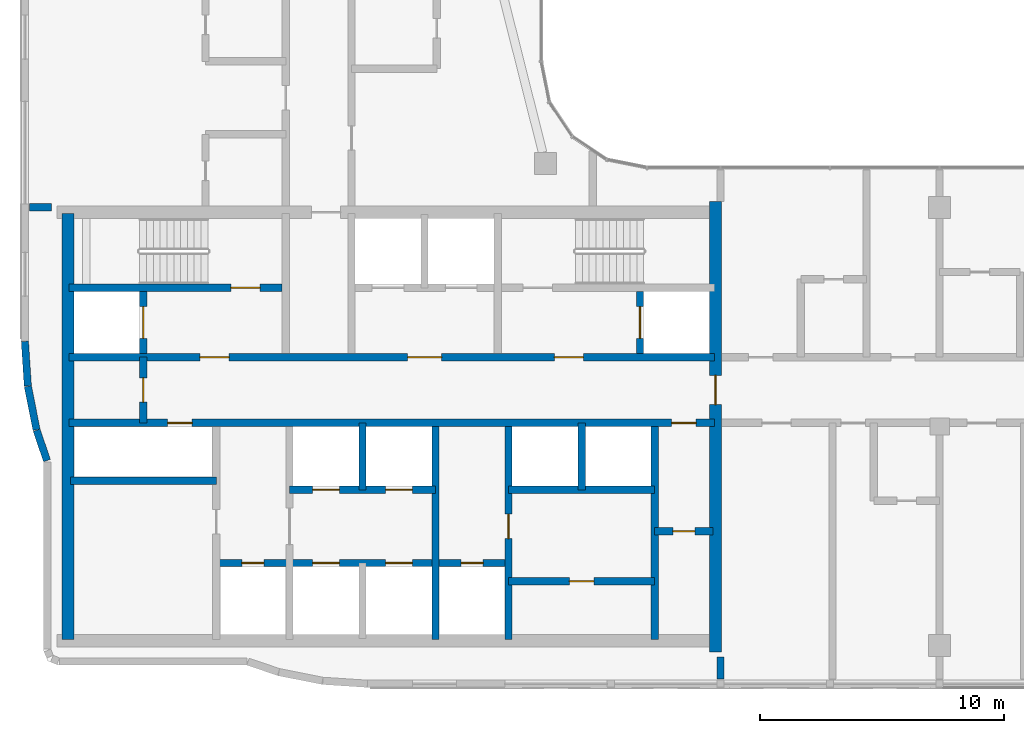
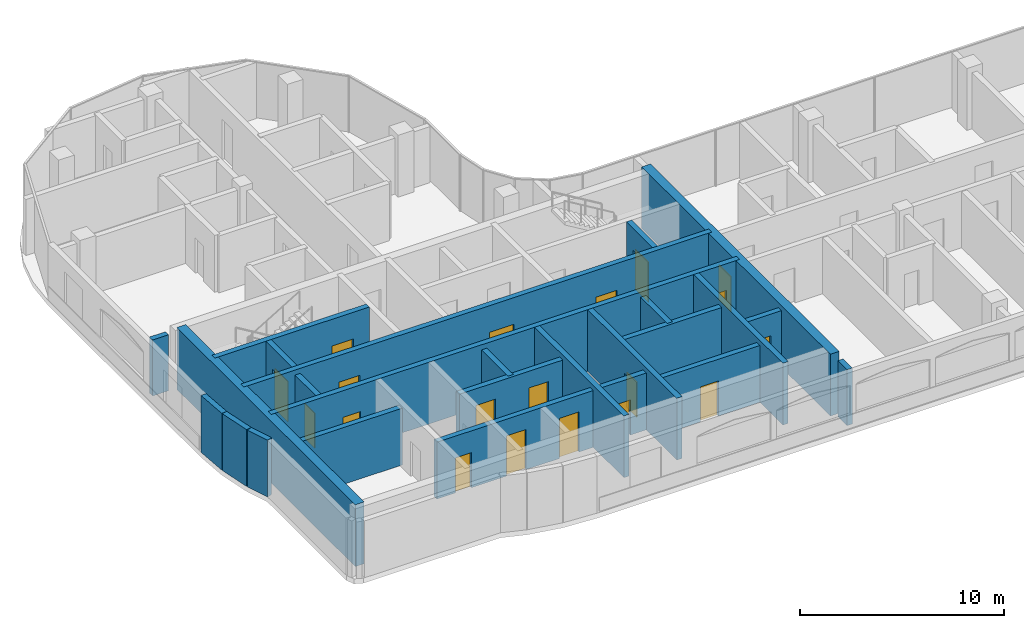
# One storey, part 9 of 19: 24 walls, 19 doors, 19 openings.
"""IFC4 building model written with IfcOpenShell, lengths in metres."""

from ifc_helpers import new_model, si_unit, direction, frame, frame_2d, origin, place, context, subcontext, project, spatial, rectangle, extrude, material, layer, layer_set, type_object, element, fill, save


model = new_model("IFC4")

# Units and contexts
model_context = context("Model", 3, precision=1e-05, world=origin(), true_north=direction((0.0, 1.0)))
body_context = subcontext(model_context, "Body", "Model", "MODEL_VIEW")
ifc_project = project(units=[si_unit("LENGTHUNIT", "METRE"), si_unit("AREAUNIT", "SQUARE_METRE"), si_unit("VOLUMEUNIT", "CUBIC_METRE"), si_unit("PLANEANGLEUNIT", "RADIAN"), si_unit("MASSUNIT", "GRAM", prefix="KILO")], contexts=[model_context])

# Site, building, storey
site_placement = place(None, origin())
site = spatial("IfcSite", under=ifc_project, at=site_placement, CompositionType="ELEMENT")
building_placement = place(site_placement, origin())
building = spatial("IfcBuilding", under=site, at=building_placement, Name="Ogive Portal Towers", CompositionType="ELEMENT")
storey_placement = place(building_placement, frame((0.0, 0.0, 203.199951171875)))
storey = spatial("IfcBuildingStorey", under=building, at=storey_placement, Name="L50", CompositionType="ELEMENT", Elevation=203.199951171875)

# Wall
ifc_material_1 = material(Name="Concrete C60/75", Category="concrete")
ifc_layer_1 = layer(ifc_material_1, 0.300048828125)
ifc_layer_set_1 = layer_set([ifc_layer_1], Name="CORE WALL 300 C60")
wall_type_1 = type_object("IfcWallType", Name="CORE WALL 300 C60", PredefinedType="SHEAR", material=ifc_layer_set_1)
wall_1_placement = place(storey_placement, frame((46.800048828125, 21.75, 0.0), z_axis=(0.0, 0.0, 1.0), x_axis=(0.0, 1.0, 0.0)))
element("IfcWall", 1, at=wall_1_placement, inside=storey, type_object=wall_type_1, Name="Core wall X3 L50", PredefinedType="SHEAR", context=body_context, shape_type="SweptSolid", body=[
    extrude(rectangle(XDim=8.75, YDim=0.300048828125, at=frame_2d((4.375, 0.0))), origin(), (0.0, 0.0, 1.0), 3.699951171875),
])

# Wall, opening, door
wall_2_placement = place(storey_placement, frame((49.800048828125, 21.75, 0.0), z_axis=(0.0, 0.0, 1.0), x_axis=(0.0, 1.0, 0.0)))
wall_2 = element("IfcWall", 2, at=wall_2_placement, inside=storey, type_object=wall_type_1, Name="Core wall X4 L50", PredefinedType="SHEAR", context=body_context, shape_type="SweptSolid", body=[
    extrude(rectangle(XDim=8.75, YDim=0.300048828125, at=frame_2d((4.375, 0.0))), origin(), (0.0, 0.0, 1.0), 3.699951171875),
])
opening_1_placement = place(wall_2_placement, frame((4.14990234375, 0.0, 0.0)))
opening_1 = element("IfcOpeningElement", 3, at=opening_1_placement, cuts=wall_2, Name="Opening D22-023", PredefinedType="OPENING", context=body_context, shape_type="SweptSolid", body=[
    extrude(rectangle(XDim=1.0, YDim=2.10009765625, at=frame_2d((0.5, 1.050048828125))), frame((0.0, 0.16015625, 0.0), z_axis=(0.0, -1.0, 0.0), x_axis=(1.0, 0.0, 0.0)), (0.0, 0.0, 1.0), 0.320068359375),
])
ifc_material_2 = material(Name="Steel fire door", Category="steel")
door_type_1 = type_object("IfcDoorType", Name="DT-SWING-1000x2100-FD90S", OperationType="SINGLE_SWING_LEFT", PredefinedType="DOOR", material=ifc_material_2)
door_1_placement = place(opening_1_placement, origin())
door_1 = element("IfcDoor", 4, at=door_1_placement, inside=storey, type_object=door_type_1, Name="Door D22-023", OperationType="SINGLE_SWING_LEFT", OverallHeight=2.10009765625, OverallWidth=1.0, PredefinedType="DOOR", context=body_context, shape_type="SweptSolid", body=[
    extrude(rectangle(XDim=1.0, YDim=2.10009765625, at=frame_2d((0.5, 1.050048828125))), frame((0.0, 0.02490234375, 0.0), z_axis=(0.0, -1.0, 0.0), x_axis=(1.0, 0.0, 0.0)), (0.0, 0.0, 1.0), 0.050048828125),
])
fill(opening_1, door_1)

# Wall
wall_3_placement = place(storey_placement, frame((55.800048828125, 21.75, 0.0), z_axis=(0.0, 0.0, 1.0), x_axis=(0.0, 1.0, 0.0)))
element("IfcWall", 5, at=wall_3_placement, inside=storey, type_object=wall_type_1, Name="Core wall X5 L50", PredefinedType="SHEAR", context=body_context, shape_type="SweptSolid", body=[
    extrude(rectangle(XDim=8.75, YDim=0.300048828125, at=frame_2d((4.375, 0.0))), origin(), (0.0, 0.0, 1.0), 3.699951171875),
])

# Wall, openings, doors
wall_4_placement = place(storey_placement, frame((31.75, 30.64990234375, 0.0), z_axis=(0.0, 0.0, 1.0), x_axis=(1.0, 0.0, 0.0)))
wall_4 = element("IfcWall", 6, at=wall_4_placement, inside=storey, type_object=wall_type_1, Name="Core wall Y1 L50", PredefinedType="SHEAR", context=body_context, shape_type="SweptSolid", body=[
    extrude(rectangle(XDim=26.5, YDim=0.300048828125, at=frame_2d((13.25, 0.0))), origin(), (0.0, 0.0, 1.0), 3.699951171875),
])
opening_2_placement = place(wall_4_placement, frame((24.75, 0.0, 0.0)))
opening_2 = element("IfcOpeningElement", 7, at=opening_2_placement, cuts=wall_4, Name="Opening D22-009", PredefinedType="OPENING", context=body_context, shape_type="SweptSolid", body=[
    extrude(rectangle(XDim=1.0, YDim=2.10009765625, at=frame_2d((0.5, 1.050048828125))), frame((0.0, 0.16015625, 0.0), z_axis=(0.0, -1.0, 0.0), x_axis=(1.0, 0.0, 0.0)), (0.0, 0.0, 1.0), 0.320068359375),
])
opening_3_placement = place(wall_4_placement, frame((4.050048828125, 0.0, 0.0)))
opening_3 = element("IfcOpeningElement", 8, at=opening_3_placement, cuts=wall_4, Name="Opening D22-021", PredefinedType="OPENING", context=body_context, shape_type="SweptSolid", body=[
    extrude(rectangle(XDim=1.0, YDim=2.10009765625, at=frame_2d((0.5, 1.050048828125))), frame((0.0, 0.16015625, 0.0), z_axis=(0.0, -1.0, 0.0), x_axis=(1.0, 0.0, 0.0)), (0.0, 0.0, 1.0), 0.320068359375),
])
door_2_placement = place(opening_2_placement, origin())
door_2 = element("IfcDoor", 9, at=door_2_placement, inside=storey, type_object=door_type_1, Name="Door D22-009", OperationType="SINGLE_SWING_LEFT", OverallHeight=2.10009765625, OverallWidth=1.0, PredefinedType="DOOR", context=body_context, shape_type="SweptSolid", body=[
    extrude(rectangle(XDim=1.0, YDim=2.10009765625, at=frame_2d((0.5, 1.050048828125))), frame((0.0, 0.02490234375, 0.0), z_axis=(0.0, -1.0, 0.0), x_axis=(1.0, 0.0, 0.0)), (0.0, 0.0, 1.0), 0.050048828125),
])
fill(opening_2, door_2)
door_3_placement = place(opening_3_placement, origin())
door_3 = element("IfcDoor", 10, at=door_3_placement, inside=storey, type_object=door_type_1, Name="Riser access door D22-021", OperationType="SINGLE_SWING_LEFT", OverallHeight=2.10009765625, OverallWidth=1.0, PredefinedType="DOOR", context=body_context, shape_type="SweptSolid", body=[
    extrude(rectangle(XDim=1.0, YDim=2.10009765625, at=frame_2d((0.5, 1.050048828125))), frame((0.0, 0.02490234375, 0.0), z_axis=(0.0, -1.0, 0.0), x_axis=(1.0, 0.0, 0.0)), (0.0, 0.0, 1.0), 0.050048828125),
])
fill(opening_3, door_3)

wall_5_placement = place(storey_placement, frame((31.75, 33.35009765625, 0.0), z_axis=(0.0, 0.0, 1.0), x_axis=(1.0, 0.0, 0.0)))
wall_5 = element("IfcWall", 11, at=wall_5_placement, inside=storey, type_object=wall_type_1, Name="Core wall Y2 L50", PredefinedType="SHEAR", context=body_context, shape_type="SweptSolid", body=[
    extrude(rectangle(XDim=26.5, YDim=0.300048828125, at=frame_2d((13.25, 0.0))), origin(), (0.0, 0.0, 1.0), 3.699951171875),
])
opening_4_placement = place(wall_5_placement, frame((13.89990234375, 0.0, 0.0)))
opening_4 = element("IfcOpeningElement", 12, at=opening_4_placement, cuts=wall_5, Name="Opening D22-002", PredefinedType="OPENING", context=body_context, shape_type="SweptSolid", body=[
    extrude(rectangle(XDim=1.39990234375, YDim=2.10009765625, at=frame_2d((0.699951171875, 1.050048828125))), frame((0.0, 0.16015625, 0.0), z_axis=(0.0, -1.0, 0.0), x_axis=(1.0, 0.0, 0.0)), (0.0, 0.0, 1.0), 0.320068359375),
])
opening_5_placement = place(wall_5_placement, frame((5.375, 0.0, 0.0)))
opening_5 = element("IfcOpeningElement", 13, at=opening_5_placement, cuts=wall_5, Name="Opening D22-003", PredefinedType="OPENING", context=body_context, shape_type="SweptSolid", body=[
    extrude(rectangle(XDim=1.199951171875, YDim=2.10009765625, at=frame_2d((0.60009765625, 1.050048828125))), frame((0.0, 0.16015625, 0.0), z_axis=(0.0, -1.0, 0.0), x_axis=(1.0, 0.0, 0.0)), (0.0, 0.0, 1.0), 0.320068359375),
])
opening_6_placement = place(wall_5_placement, frame((19.925048828125, 0.0, 0.0)))
opening_6 = element("IfcOpeningElement", 14, at=opening_6_placement, cuts=wall_5, Name="Opening D22-004", PredefinedType="OPENING", context=body_context, shape_type="SweptSolid", body=[
    extrude(rectangle(XDim=1.199951171875, YDim=2.10009765625, at=frame_2d((0.60009765625, 1.050048828125))), frame((0.0, 0.16015625, 0.0), z_axis=(0.0, -1.0, 0.0), x_axis=(1.0, 0.0, 0.0)), (0.0, 0.0, 1.0), 0.320068359375),
])
door_type_2 = type_object("IfcDoorType", Name="DT-SWING-1200x2100-FD90S", OperationType="SINGLE_SWING_LEFT", PredefinedType="DOOR", material=ifc_material_2)
door_4_placement = place(opening_5_placement, origin())
door_4 = element("IfcDoor", 15, at=door_4_placement, inside=storey, type_object=door_type_2, Name="Door D22-003", OperationType="SINGLE_SWING_LEFT", OverallHeight=2.10009765625, OverallWidth=1.199951171875, PredefinedType="DOOR", context=body_context, shape_type="SweptSolid", body=[
    extrude(rectangle(XDim=1.199951171875, YDim=2.10009765625, at=frame_2d((0.60009765625, 1.050048828125))), frame((0.0, 0.02490234375, 0.0), z_axis=(0.0, -1.0, 0.0), x_axis=(1.0, 0.0, 0.0)), (0.0, 0.0, 1.0), 0.050048828125),
])
fill(opening_5, door_4)
door_5_placement = place(opening_6_placement, origin())
door_5 = element("IfcDoor", 16, at=door_5_placement, inside=storey, type_object=door_type_2, Name="Door D22-004", OperationType="SINGLE_SWING_RIGHT", OverallHeight=2.10009765625, OverallWidth=1.199951171875, PredefinedType="DOOR", context=body_context, shape_type="SweptSolid", body=[
    extrude(rectangle(XDim=1.199951171875, YDim=2.10009765625, at=frame_2d((0.60009765625, 1.050048828125))), frame((0.0, 0.02490234375, 0.0), z_axis=(0.0, -1.0, 0.0), x_axis=(1.0, 0.0, 0.0)), (0.0, 0.0, 1.0), 0.050048828125),
])
fill(opening_6, door_5)
door_type_3 = type_object("IfcDoorType", Name="DT-SWING-1400x2100-FD90S", OperationType="SINGLE_SWING_LEFT", PredefinedType="DOOR", material=ifc_material_2)
door_6_placement = place(opening_4_placement, origin())
door_6 = element("IfcDoor", 17, at=door_6_placement, inside=storey, type_object=door_type_3, Name="Door D22-002", OperationType="SINGLE_SWING_RIGHT", OverallHeight=2.10009765625, OverallWidth=1.39990234375, PredefinedType="DOOR", context=body_context, shape_type="SweptSolid", body=[
    extrude(rectangle(XDim=1.39990234375, YDim=2.10009765625, at=frame_2d((0.699951171875, 1.050048828125))), frame((0.0, 0.02490234375, 0.0), z_axis=(0.0, -1.0, 0.0), x_axis=(1.0, 0.0, 0.0)), (0.0, 0.0, 1.0), 0.050048828125),
])
fill(opening_4, door_6)

# Wall, opening, door
wall_6_placement = place(storey_placement, frame((31.75, 36.199951171875, 0.0), z_axis=(0.0, 0.0, 1.0), x_axis=(1.0, 0.0, 0.0)))
wall_6 = element("IfcWall", 18, at=wall_6_placement, inside=storey, type_object=wall_type_1, Name="Core wall Y3a L50", PredefinedType="SHEAR", context=body_context, shape_type="SweptSolid", body=[
    extrude(rectangle(XDim=8.75, YDim=0.300048828125, at=frame_2d((4.375, 0.0))), origin(), (0.0, 0.0, 1.0), 3.699951171875),
])
opening_7_placement = place(wall_6_placement, frame((6.64990234375, 0.0, 0.0)))
opening_7 = element("IfcOpeningElement", 19, at=opening_7_placement, cuts=wall_6, Name="Opening D22-005", PredefinedType="OPENING", context=body_context, shape_type="SweptSolid", body=[
    extrude(rectangle(XDim=1.199951171875, YDim=2.10009765625, at=frame_2d((0.60009765625, 1.050048828125))), frame((0.0, 0.16015625, 0.0), z_axis=(0.0, -1.0, 0.0), x_axis=(1.0, 0.0, 0.0)), (0.0, 0.0, 1.0), 0.320068359375),
])
door_7_placement = place(opening_7_placement, origin())
door_7 = element("IfcDoor", 20, at=door_7_placement, inside=storey, type_object=door_type_2, Name="Door D22-005", OperationType="SINGLE_SWING_RIGHT", OverallHeight=2.10009765625, OverallWidth=1.199951171875, PredefinedType="DOOR", context=body_context, shape_type="SweptSolid", body=[
    extrude(rectangle(XDim=1.199951171875, YDim=2.10009765625, at=frame_2d((0.60009765625, 1.050048828125))), frame((0.0, 0.02490234375, 0.0), z_axis=(0.0, -1.0, 0.0), x_axis=(1.0, 0.0, 0.0)), (0.0, 0.0, 1.0), 0.050048828125),
])
fill(opening_7, door_7)

wall_7_placement = place(storey_placement, frame((34.800048828125, 33.5, 0.0), z_axis=(0.0, 0.0, 1.0), x_axis=(0.0, 1.0, 0.0)))
wall_7 = element("IfcWall", 21, at=wall_7_placement, inside=storey, type_object=wall_type_1, Name="Core wall X8 L50", PredefinedType="SHEAR", context=body_context, shape_type="SweptSolid", body=[
    extrude(rectangle(XDim=2.550048828125, YDim=0.300048828125, at=frame_2d((1.27490234375, 0.0))), origin(), (0.0, 0.0, 1.0), 3.699951171875),
])
opening_8_placement = place(wall_7_placement, frame((0.625, 0.0, 0.0)))
opening_8 = element("IfcOpeningElement", 22, at=opening_8_placement, cuts=wall_7, Name="Opening D22-019", PredefinedType="OPENING", context=body_context, shape_type="SweptSolid", body=[
    extrude(rectangle(XDim=1.300048828125, YDim=2.39990234375, at=frame_2d((0.64990234375, 1.199951171875))), frame((0.0, 0.16015625, 0.0), z_axis=(0.0, -1.0, 0.0), x_axis=(1.0, 0.0, 0.0)), (0.0, 0.0, 1.0), 0.320068359375),
])
ifc_material_3 = material(Name="Stainless steel", Category="steel")
door_type_4 = type_object("IfcDoorType", Name="DT-LD-1300x2400", OperationType="SLIDING_TO_LEFT", PredefinedType="DOOR", material=ifc_material_3)
door_8_placement = place(opening_8_placement, origin())
door_8 = element("IfcDoor", 23, at=door_8_placement, inside=storey, type_object=door_type_4, Name="Door D22-019", OperationType="SLIDING_TO_LEFT", OverallHeight=2.39990234375, OverallWidth=1.300048828125, PredefinedType="DOOR", context=body_context, shape_type="SweptSolid", body=[
    extrude(rectangle(XDim=1.300048828125, YDim=2.39990234375, at=frame_2d((0.64990234375, 1.199951171875))), frame((0.0, 0.02490234375, 0.0), z_axis=(0.0, -1.0, 0.0), x_axis=(1.0, 0.0, 0.0)), (0.0, 0.0, 1.0), 0.050048828125),
])
fill(opening_8, door_8)

wall_8_placement = place(storey_placement, frame((55.199951171875, 33.5, 0.0), z_axis=(0.0, 0.0, 1.0), x_axis=(0.0, 1.0, 0.0)))
wall_8 = element("IfcWall", 24, at=wall_8_placement, inside=storey, type_object=wall_type_1, Name="Core wall X10 L50", PredefinedType="SHEAR", context=body_context, shape_type="SweptSolid", body=[
    extrude(rectangle(XDim=2.550048828125, YDim=0.300048828125, at=frame_2d((1.27490234375, 0.0))), origin(), (0.0, 0.0, 1.0), 3.699951171875),
])
opening_9_placement = place(wall_8_placement, frame((0.625, 0.0, 0.0)))
opening_9 = element("IfcOpeningElement", 25, at=opening_9_placement, cuts=wall_8, Name="Opening D22-020", PredefinedType="OPENING", context=body_context, shape_type="SweptSolid", body=[
    extrude(rectangle(XDim=1.300048828125, YDim=2.39990234375, at=frame_2d((0.64990234375, 1.199951171875))), frame((0.0, 0.16015625, 0.0), z_axis=(0.0, -1.0, 0.0), x_axis=(1.0, 0.0, 0.0)), (0.0, 0.0, 1.0), 0.320068359375),
])
door_9_placement = place(opening_9_placement, origin())
door_9 = element("IfcDoor", 26, at=door_9_placement, inside=storey, type_object=door_type_4, Name="Door D22-020", OperationType="SLIDING_TO_LEFT", OverallHeight=2.39990234375, OverallWidth=1.300048828125, PredefinedType="DOOR", context=body_context, shape_type="SweptSolid", body=[
    extrude(rectangle(XDim=1.300048828125, YDim=2.39990234375, at=frame_2d((0.64990234375, 1.199951171875))), frame((0.0, 0.02490234375, 0.0), z_axis=(0.0, -1.0, 0.0), x_axis=(1.0, 0.0, 0.0)), (0.0, 0.0, 1.0), 0.050048828125),
])
fill(opening_9, door_9)

# Wall
ifc_layer_2 = layer(ifc_material_1, 0.5)
ifc_layer_set_2 = layer_set([ifc_layer_2], Name="CORE WALL 500 C60")
wall_type_2 = type_object("IfcWallType", Name="CORE WALL 500 C60", PredefinedType="SHEAR", material=ifc_layer_set_2)
wall_9_placement = place(storey_placement, frame((31.699951171875, 21.75, 0.0), z_axis=(0.0, 0.0, 1.0), x_axis=(0.0, 1.0, 0.0)))
element("IfcWall", 27, at=wall_9_placement, inside=storey, type_object=wall_type_2, Name="Core wall W L50", PredefinedType="SHEAR", context=body_context, shape_type="SweptSolid", body=[
    extrude(rectangle(XDim=17.5, YDim=0.5, at=frame_2d((8.75, 0.0))), origin(), (0.0, 0.0, 1.0), 3.699951171875),
])

# Wall, opening, door
wall_10_placement = place(storey_placement, frame((58.300048828125, 21.25, 0.0), z_axis=(0.0, 0.0, 1.0), x_axis=(0.0, 1.0, 0.0)))
wall_10 = element("IfcWall", 28, at=wall_10_placement, inside=storey, type_object=wall_type_2, Name="Core wall E L50", PredefinedType="SHEAR", context=body_context, shape_type="SweptSolid", body=[
    extrude(rectangle(XDim=18.5, YDim=0.5, at=frame_2d((9.25, 0.0))), origin(), (0.0, 0.0, 1.0), 3.699951171875),
])
opening_10_placement = place(wall_10_placement, frame((10.14990234375, 0.0, 0.0)))
opening_10 = element("IfcOpeningElement", 29, at=opening_10_placement, cuts=wall_10, Name="Opening D22-011", PredefinedType="OPENING", context=body_context, shape_type="SweptSolid", body=[
    extrude(rectangle(XDim=1.199951171875, YDim=2.10009765625, at=frame_2d((0.60009765625, 1.050048828125))), frame((0.0, 0.260009765625, 0.0), z_axis=(0.0, -1.0, 0.0), x_axis=(1.0, 0.0, 0.0)), (0.0, 0.0, 1.0), 0.52001953125),
])
door_10_placement = place(opening_10_placement, origin())
door_10 = element("IfcDoor", 30, at=door_10_placement, inside=storey, type_object=door_type_2, Name="Door D22-011", OperationType="SINGLE_SWING_LEFT", OverallHeight=2.10009765625, OverallWidth=1.199951171875, PredefinedType="DOOR", context=body_context, shape_type="SweptSolid", body=[
    extrude(rectangle(XDim=1.199951171875, YDim=2.10009765625, at=frame_2d((0.60009765625, 1.050048828125))), frame((0.0, 0.02490234375, 0.0), z_axis=(0.0, -1.0, 0.0), x_axis=(1.0, 0.0, 0.0)), (0.0, 0.0, 1.0), 0.050048828125),
])
fill(opening_10, door_10)

# Walls
ifc_material_4 = material(Name="Limestone cladding on lightweight block wall", Category="masonry")
ifc_layer_3 = layer(ifc_material_4, 0.300048828125)
ifc_layer_set_3 = layer_set([ifc_layer_3], Name="EXTERNAL WALL 300 STONE")
wall_type_3 = type_object("IfcWallType", Name="EXTERNAL WALL 300 STONE", PredefinedType="SOLIDWALL", material=ifc_layer_set_3)
wall_11_placement = place(storey_placement, frame((29.935302734375, 34.0, 0.0), z_axis=(0.0, 0.0, 1.0), x_axis=(0.065376617685, -0.997860660543, 0.0)))
element("IfcWall", 31, at=wall_11_placement, inside=storey, type_object=wall_type_3, Name="A:L50:f26:r0:wall", PredefinedType="SOLIDWALL", context=body_context, shape_type="SweptSolid", body=[
    extrude(rectangle(XDim=1.829833984375, YDim=0.300048828125, at=frame_2d((0.9150390625, 0.0))), origin(), (0.0, 0.0, 1.0), 3.400146484375),
])
wall_12_placement = place(storey_placement, frame((30.0576171875, 32.154541015625, 0.0), z_axis=(0.0, 0.0, 1.0), x_axis=(0.195032615553, -0.980796757168, 0.0)))
element("IfcWall", 32, at=wall_12_placement, inside=storey, type_object=wall_type_3, Name="A:L50:f27:r0:wall", PredefinedType="SOLIDWALL", context=body_context, shape_type="SweptSolid", body=[
    extrude(rectangle(XDim=1.820068359375, YDim=0.300048828125, at=frame_2d((0.91015625, 0.0))), origin(), (0.0, 0.0, 1.0), 3.400146484375),
])
wall_13_placement = place(storey_placement, frame((30.417724609375, 30.3505859375, 0.0), z_axis=(0.0, 0.0, 1.0), x_axis=(0.32143850255, -0.946930456305, 0.0)))
element("IfcWall", 33, at=wall_13_placement, inside=storey, type_object=wall_type_3, Name="A:L50:f28:r0:wall", PredefinedType="SOLIDWALL", context=body_context, shape_type="SweptSolid", body=[
    extrude(rectangle(XDim=1.320068359375, YDim=0.300048828125, at=frame_2d((0.66015625, 0.0))), origin(), (0.0, 0.0, 1.0), 3.400146484375),
])

# Wall, opening, door
ifc_material_5 = material(Name="Gypsum board partition on steel studs", Category="steel")
ifc_layer_4 = layer(ifc_material_5, 0.300048828125)
ifc_layer_set_4 = layer_set([ifc_layer_4], Name="WT-PART-300")
wall_type_4 = type_object("IfcWallType", Name="WT-PART-300", PredefinedType="PARTITIONING", material=ifc_layer_set_4)
wall_14_placement = place(storey_placement, frame((49.800048828125, 24.14990234375, 0.0), z_axis=(0.0, 0.0, 1.0), x_axis=(1.0, 0.0, 0.0)))
wall_14 = element("IfcWall", 34, at=wall_14_placement, inside=storey, type_object=wall_type_4, Name="Wall pw:001:L50", PredefinedType="PARTITIONING", context=body_context, shape_type="SweptSolid", body=[
    extrude(rectangle(XDim=6.0, YDim=0.300048828125, at=frame_2d((3.0, 0.0))), origin(), (0.0, 0.0, 1.0), 3.400146484375),
])
opening_11_placement = place(wall_14_placement, frame((2.5, 0.0, 0.0)))
opening_11 = element("IfcOpeningElement", 35, at=opening_11_placement, cuts=wall_14, Name="Opening D22-024", PredefinedType="OPENING", context=body_context, shape_type="SweptSolid", body=[
    extrude(rectangle(XDim=1.0, YDim=2.10009765625, at=frame_2d((0.5, 1.050048828125))), frame((0.0, 0.16015625, 0.0), z_axis=(0.0, -1.0, 0.0), x_axis=(1.0, 0.0, 0.0)), (0.0, 0.0, 1.0), 0.320068359375),
])
door_type_5 = type_object("IfcDoorType", Name="DT-SWING-1000x2100-FD60S", OperationType="SINGLE_SWING_LEFT", PredefinedType="DOOR", material=ifc_material_2)
door_11_placement = place(opening_11_placement, origin())
door_11 = element("IfcDoor", 36, at=door_11_placement, inside=storey, type_object=door_type_5, Name="Door D22-024", OperationType="SINGLE_SWING_RIGHT", OverallHeight=2.10009765625, OverallWidth=1.0, PredefinedType="DOOR", context=body_context, shape_type="SweptSolid", body=[
    extrude(rectangle(XDim=1.0, YDim=2.10009765625, at=frame_2d((0.5, 1.050048828125))), frame((0.0, 0.02490234375, 0.0), z_axis=(0.0, -1.0, 0.0), x_axis=(1.0, 0.0, 0.0)), (0.0, 0.0, 1.0), 0.050048828125),
])
fill(opening_11, door_11)

wall_15_placement = place(storey_placement, frame((55.800048828125, 26.199951171875, 0.0), z_axis=(0.0, 0.0, 1.0), x_axis=(1.0, 0.0, 0.0)))
wall_15 = element("IfcWall", 37, at=wall_15_placement, inside=storey, type_object=wall_type_4, Name="Wall pw:003:L50", PredefinedType="PARTITIONING", context=body_context, shape_type="SweptSolid", body=[
    extrude(rectangle(XDim=2.39990234375, YDim=0.300048828125, at=frame_2d((1.199951171875, 0.0))), origin(), (0.0, 0.0, 1.0), 3.400146484375),
])
opening_12_placement = place(wall_15_placement, frame((0.75, 0.0, 0.0)))
opening_12 = element("IfcOpeningElement", 38, at=opening_12_placement, cuts=wall_15, Name="Opening D22-010", PredefinedType="OPENING", context=body_context, shape_type="SweptSolid", body=[
    extrude(rectangle(XDim=0.89990234375, YDim=2.10009765625, at=frame_2d((0.449951171875, 1.050048828125))), frame((0.0, 0.16015625, 0.0), z_axis=(0.0, -1.0, 0.0), x_axis=(1.0, 0.0, 0.0)), (0.0, 0.0, 1.0), 0.320068359375),
])
door_type_6 = type_object("IfcDoorType", Name="DT-SWING-900x2100-FD60S", OperationType="SINGLE_SWING_LEFT", PredefinedType="DOOR", material=ifc_material_2)
door_12_placement = place(opening_12_placement, origin())
door_12 = element("IfcDoor", 39, at=door_12_placement, inside=storey, type_object=door_type_6, Name="Door D22-010", OperationType="SINGLE_SWING_RIGHT", OverallHeight=2.10009765625, OverallWidth=0.89990234375, PredefinedType="DOOR", context=body_context, shape_type="SweptSolid", body=[
    extrude(rectangle(XDim=0.89990234375, YDim=2.10009765625, at=frame_2d((0.449951171875, 1.050048828125))), frame((0.0, 0.02490234375, 0.0), z_axis=(0.0, -1.0, 0.0), x_axis=(1.0, 0.0, 0.0)), (0.0, 0.0, 1.0), 0.050048828125),
])
fill(opening_12, door_12)

# Walls
wall_16_placement = place(storey_placement, frame((31.800048828125, 28.277099609375, 0.0), z_axis=(0.0, 0.0, 1.0), x_axis=(1.0, 0.0, 0.0)))
element("IfcWall", 40, at=wall_16_placement, inside=storey, type_object=wall_type_4, Name="Wall pw:006:L50", PredefinedType="PARTITIONING", context=body_context, shape_type="SweptSolid", body=[
    extrude(rectangle(XDim=6.0, YDim=0.300048828125, at=frame_2d((3.0, 0.0))), origin(), (0.0, 0.0, 1.0), 3.400146484375),
])
ifc_layer_5 = layer(ifc_material_5, 0.300048828125)
ifc_layer_set_5 = layer_set([ifc_layer_5], Name="WT-PART-300-EI 60")
wall_type_5 = type_object("IfcWallType", Name="WT-PART-300-EI 60", PredefinedType="PARTITIONING", material=ifc_layer_set_5)
for number, where, z_axis, x_axis, name in (
    (41, (30.135009765625, 39.5, 0.0), (0.0, 0.0, 1.0), (1.0, 0.0, 0.0), "Wall L50:w012"),
    (42, (58.5, 20.135009765625, 0.0), (0.0, 0.0, 1.0), (0.0, 1.0, 0.0), "Wall L50:w034"),
):
    element("IfcWall", number, at=place(storey_placement, frame(where, z_axis=z_axis, x_axis=x_axis)), inside=storey, type_object=wall_type_5, Name=name, PredefinedType="PARTITIONING", context=body_context, shape_type="SweptSolid", body=[
        extrude(rectangle(XDim=0.89501953125, YDim=0.300048828125, at=frame_2d((0.447509765625, 0.0))), origin(), (0.0, 0.0, 1.0), 3.35009765625),
    ])

# Wall, openings, doors
ifc_material_6 = material(Name="Concrete C40/50", Category="concrete")
ifc_layer_6 = layer(ifc_material_6, 0.300048828125)
ifc_layer_set_6 = layer_set([ifc_layer_6], Name="WT-SHAFT-300")
wall_type_6 = type_object("IfcWallType", Name="WT-SHAFT-300", PredefinedType="SOLIDWALL", material=ifc_layer_set_6)
wall_17_placement = place(storey_placement, frame((37.800048828125, 24.89990234375, 0.0), z_axis=(0.0, 0.0, 1.0), x_axis=(1.0, 0.0, 0.0)))
wall_17 = element("IfcWall", 43, at=wall_17_placement, inside=storey, type_object=wall_type_6, Name="Wall pw:002:L50", PredefinedType="SOLIDWALL", context=body_context, shape_type="SweptSolid", body=[
    extrude(rectangle(XDim=12.0, YDim=0.300048828125, at=frame_2d((6.0, 0.0))), origin(), (0.0, 0.0, 1.0), 3.400146484375),
])
opening_13_placement = place(wall_17_placement, frame((1.050048828125, 0.0, 0.0)))
opening_13 = element("IfcOpeningElement", 44, at=opening_13_placement, cuts=wall_17, Name="Opening D22-007", PredefinedType="OPENING", context=body_context, shape_type="SweptSolid", body=[
    extrude(rectangle(XDim=0.89990234375, YDim=2.10009765625, at=frame_2d((0.449951171875, 1.050048828125))), frame((0.0, 0.16015625, 0.0), z_axis=(0.0, -1.0, 0.0), x_axis=(1.0, 0.0, 0.0)), (0.0, 0.0, 1.0), 0.320068359375),
])
opening_14_placement = place(wall_17_placement, frame((10.050048828125, 0.0, 0.0)))
opening_14 = element("IfcOpeningElement", 45, at=opening_14_placement, cuts=wall_17, Name="Opening D22-008", PredefinedType="OPENING", context=body_context, shape_type="SweptSolid", body=[
    extrude(rectangle(XDim=0.89990234375, YDim=2.10009765625, at=frame_2d((0.449951171875, 1.050048828125))), frame((0.0, 0.16015625, 0.0), z_axis=(0.0, -1.0, 0.0), x_axis=(1.0, 0.0, 0.0)), (0.0, 0.0, 1.0), 0.320068359375),
])
opening_15_placement = place(wall_17_placement, frame((3.949951171875, 0.0, 0.0)))
opening_15 = element("IfcOpeningElement", 46, at=opening_15_placement, cuts=wall_17, Name="Opening D22-013", PredefinedType="OPENING", context=body_context, shape_type="SweptSolid", body=[
    extrude(rectangle(XDim=1.10009765625, YDim=2.39990234375, at=frame_2d((0.550048828125, 1.199951171875))), frame((0.0, 0.16015625, 0.0), z_axis=(0.0, -1.0, 0.0), x_axis=(1.0, 0.0, 0.0)), (0.0, 0.0, 1.0), 0.320068359375),
])
opening_16_placement = place(wall_17_placement, frame((6.949951171875, 0.0, 0.0)))
opening_16 = element("IfcOpeningElement", 47, at=opening_16_placement, cuts=wall_17, Name="Opening D22-014", PredefinedType="OPENING", context=body_context, shape_type="SweptSolid", body=[
    extrude(rectangle(XDim=1.10009765625, YDim=2.39990234375, at=frame_2d((0.550048828125, 1.199951171875))), frame((0.0, 0.16015625, 0.0), z_axis=(0.0, -1.0, 0.0), x_axis=(1.0, 0.0, 0.0)), (0.0, 0.0, 1.0), 0.320068359375),
])
door_type_7 = type_object("IfcDoorType", Name="DT-LD-1100x2400", OperationType="SLIDING_TO_LEFT", PredefinedType="DOOR", material=ifc_material_3)
door_13_placement = place(opening_15_placement, origin())
door_13 = element("IfcDoor", 48, at=door_13_placement, inside=storey, type_object=door_type_7, Name="Door D22-013", OperationType="SLIDING_TO_LEFT", OverallHeight=2.39990234375, OverallWidth=1.10009765625, PredefinedType="DOOR", context=body_context, shape_type="SweptSolid", body=[
    extrude(rectangle(XDim=1.10009765625, YDim=2.39990234375, at=frame_2d((0.550048828125, 1.199951171875))), frame((0.0, 0.02490234375, 0.0), z_axis=(0.0, -1.0, 0.0), x_axis=(1.0, 0.0, 0.0)), (0.0, 0.0, 1.0), 0.050048828125),
])
fill(opening_15, door_13)
door_14_placement = place(opening_16_placement, origin())
door_14 = element("IfcDoor", 49, at=door_14_placement, inside=storey, type_object=door_type_7, Name="Door D22-014", OperationType="SLIDING_TO_LEFT", OverallHeight=2.39990234375, OverallWidth=1.10009765625, PredefinedType="DOOR", context=body_context, shape_type="SweptSolid", body=[
    extrude(rectangle(XDim=1.10009765625, YDim=2.39990234375, at=frame_2d((0.550048828125, 1.199951171875))), frame((0.0, 0.02490234375, 0.0), z_axis=(0.0, -1.0, 0.0), x_axis=(1.0, 0.0, 0.0)), (0.0, 0.0, 1.0), 0.050048828125),
])
fill(opening_16, door_14)
door_type_8 = type_object("IfcDoorType", Name="DT-SWING-900x2100-FD90S", OperationType="SINGLE_SWING_LEFT", PredefinedType="DOOR", material=ifc_material_2)
door_15_placement = place(opening_13_placement, origin())
door_15 = element("IfcDoor", 50, at=door_15_placement, inside=storey, type_object=door_type_8, Name="Riser access door D22-007", OperationType="SINGLE_SWING_LEFT", OverallHeight=2.10009765625, OverallWidth=0.89990234375, PredefinedType="DOOR", context=body_context, shape_type="SweptSolid", body=[
    extrude(rectangle(XDim=0.89990234375, YDim=2.10009765625, at=frame_2d((0.449951171875, 1.050048828125))), frame((0.0, 0.02490234375, 0.0), z_axis=(0.0, -1.0, 0.0), x_axis=(1.0, 0.0, 0.0)), (0.0, 0.0, 1.0), 0.050048828125),
])
fill(opening_13, door_15)
door_16_placement = place(opening_14_placement, origin())
door_16 = element("IfcDoor", 51, at=door_16_placement, inside=storey, type_object=door_type_8, Name="Riser access door D22-008", OperationType="SINGLE_SWING_RIGHT", OverallHeight=2.10009765625, OverallWidth=0.89990234375, PredefinedType="DOOR", context=body_context, shape_type="SweptSolid", body=[
    extrude(rectangle(XDim=0.89990234375, YDim=2.10009765625, at=frame_2d((0.449951171875, 1.050048828125))), frame((0.0, 0.02490234375, 0.0), z_axis=(0.0, -1.0, 0.0), x_axis=(1.0, 0.0, 0.0)), (0.0, 0.0, 1.0), 0.050048828125),
])
fill(opening_14, door_16)

wall_18_placement = place(storey_placement, frame((40.800048828125, 27.89990234375, 0.0), z_axis=(0.0, 0.0, 1.0), x_axis=(1.0, 0.0, 0.0)))
wall_18 = element("IfcWall", 52, at=wall_18_placement, inside=storey, type_object=wall_type_6, Name="Wall pw:004:L50", PredefinedType="SOLIDWALL", context=body_context, shape_type="SweptSolid", body=[
    extrude(rectangle(XDim=6.0, YDim=0.300048828125, at=frame_2d((3.0, 0.0))), origin(), (0.0, 0.0, 1.0), 3.400146484375),
])
opening_17_placement = place(wall_18_placement, frame((0.949951171875, 0.0, 0.0)))
opening_17 = element("IfcOpeningElement", 53, at=opening_17_placement, cuts=wall_18, Name="Opening D22-015", PredefinedType="OPENING", context=body_context, shape_type="SweptSolid", body=[
    extrude(rectangle(XDim=1.10009765625, YDim=2.39990234375, at=frame_2d((0.550048828125, 1.199951171875))), frame((0.0, 0.16015625, 0.0), z_axis=(0.0, -1.0, 0.0), x_axis=(1.0, 0.0, 0.0)), (0.0, 0.0, 1.0), 0.320068359375),
])
opening_18_placement = place(wall_18_placement, frame((3.949951171875, 0.0, 0.0)))
opening_18 = element("IfcOpeningElement", 54, at=opening_18_placement, cuts=wall_18, Name="Opening D22-016", PredefinedType="OPENING", context=body_context, shape_type="SweptSolid", body=[
    extrude(rectangle(XDim=1.10009765625, YDim=2.39990234375, at=frame_2d((0.550048828125, 1.199951171875))), frame((0.0, 0.16015625, 0.0), z_axis=(0.0, -1.0, 0.0), x_axis=(1.0, 0.0, 0.0)), (0.0, 0.0, 1.0), 0.320068359375),
])
door_17_placement = place(opening_17_placement, origin())
door_17 = element("IfcDoor", 55, at=door_17_placement, inside=storey, type_object=door_type_7, Name="Door D22-015", OperationType="SLIDING_TO_LEFT", OverallHeight=2.39990234375, OverallWidth=1.10009765625, PredefinedType="DOOR", context=body_context, shape_type="SweptSolid", body=[
    extrude(rectangle(XDim=1.10009765625, YDim=2.39990234375, at=frame_2d((0.550048828125, 1.199951171875))), frame((0.0, 0.02490234375, 0.0), z_axis=(0.0, -1.0, 0.0), x_axis=(1.0, 0.0, 0.0)), (0.0, 0.0, 1.0), 0.050048828125),
])
fill(opening_17, door_17)
door_18_placement = place(opening_18_placement, origin())
door_18 = element("IfcDoor", 56, at=door_18_placement, inside=storey, type_object=door_type_7, Name="Door D22-016", OperationType="SLIDING_TO_LEFT", OverallHeight=2.39990234375, OverallWidth=1.10009765625, PredefinedType="DOOR", context=body_context, shape_type="SweptSolid", body=[
    extrude(rectangle(XDim=1.10009765625, YDim=2.39990234375, at=frame_2d((0.550048828125, 1.199951171875))), frame((0.0, 0.02490234375, 0.0), z_axis=(0.0, -1.0, 0.0), x_axis=(1.0, 0.0, 0.0)), (0.0, 0.0, 1.0), 0.050048828125),
])
fill(opening_18, door_18)

# Wall
wall_19_placement = place(storey_placement, frame((49.800048828125, 27.89990234375, 0.0), z_axis=(0.0, 0.0, 1.0), x_axis=(1.0, 0.0, 0.0)))
element("IfcWall", 57, at=wall_19_placement, inside=storey, type_object=wall_type_6, Name="Wall pw:005:L50", PredefinedType="SOLIDWALL", context=body_context, shape_type="SweptSolid", body=[
    extrude(rectangle(XDim=6.0, YDim=0.300048828125, at=frame_2d((3.0, 0.0))), origin(), (0.0, 0.0, 1.0), 3.400146484375),
])

# Wall, opening, door
wall_20_placement = place(storey_placement, frame((34.800048828125, 30.64990234375, 0.0), z_axis=(0.0, 0.0, 1.0), x_axis=(0.0, 1.0, 0.0)))
wall_20 = element("IfcWall", 58, at=wall_20_placement, inside=storey, type_object=wall_type_6, Name="Wall pw:007:L50", PredefinedType="SOLIDWALL", context=body_context, shape_type="SweptSolid", body=[
    extrude(rectangle(XDim=2.7001953125, YDim=0.300048828125, at=frame_2d((1.35009765625, 0.0))), origin(), (0.0, 0.0, 1.0), 3.400146484375),
])
opening_19_placement = place(wall_20_placement, frame((0.85009765625, 0.0, 0.0)))
opening_19 = element("IfcOpeningElement", 59, at=opening_19_placement, cuts=wall_20, Name="Opening D22-025", PredefinedType="OPENING", context=body_context, shape_type="SweptSolid", body=[
    extrude(rectangle(XDim=1.0, YDim=2.10009765625, at=frame_2d((0.5, 1.050048828125))), frame((0.0, 0.16015625, 0.0), z_axis=(0.0, -1.0, 0.0), x_axis=(1.0, 0.0, 0.0)), (0.0, 0.0, 1.0), 0.320068359375),
])
door_19_placement = place(opening_19_placement, origin())
door_19 = element("IfcDoor", 60, at=door_19_placement, inside=storey, type_object=door_type_1, Name="Door D22-025", OperationType="SINGLE_SWING_LEFT", OverallHeight=2.10009765625, OverallWidth=1.0, PredefinedType="DOOR", context=body_context, shape_type="SweptSolid", body=[
    extrude(rectangle(XDim=1.0, YDim=2.10009765625, at=frame_2d((0.5, 1.050048828125))), frame((0.0, 0.02490234375, 0.0), z_axis=(0.0, -1.0, 0.0), x_axis=(1.0, 0.0, 0.0)), (0.0, 0.0, 1.0), 0.050048828125),
])
fill(opening_19, door_19)

# Walls
for number, where, z_axis, x_axis, name in (
    (61, (43.800048828125, 27.89990234375, 0.0), (0.0, 0.0, 1.0), (0.0, 1.0, 0.0), "Wall pw:009:L50"),
    (62, (52.800048828125, 27.89990234375, 0.0), (0.0, 0.0, 1.0), (0.0, 1.0, 0.0), "Wall pw:011:L50"),
):
    element("IfcWall", number, at=place(storey_placement, frame(where, z_axis=z_axis, x_axis=x_axis)), inside=storey, type_object=wall_type_6, Name=name, PredefinedType="SOLIDWALL", context=body_context, shape_type="SweptSolid", body=[
        extrude(rectangle(XDim=2.75, YDim=0.300048828125, at=frame_2d((1.375, 0.0))), origin(), (0.0, 0.0, 1.0), 3.400146484375),
    ])

save(model, "model.ifc")
